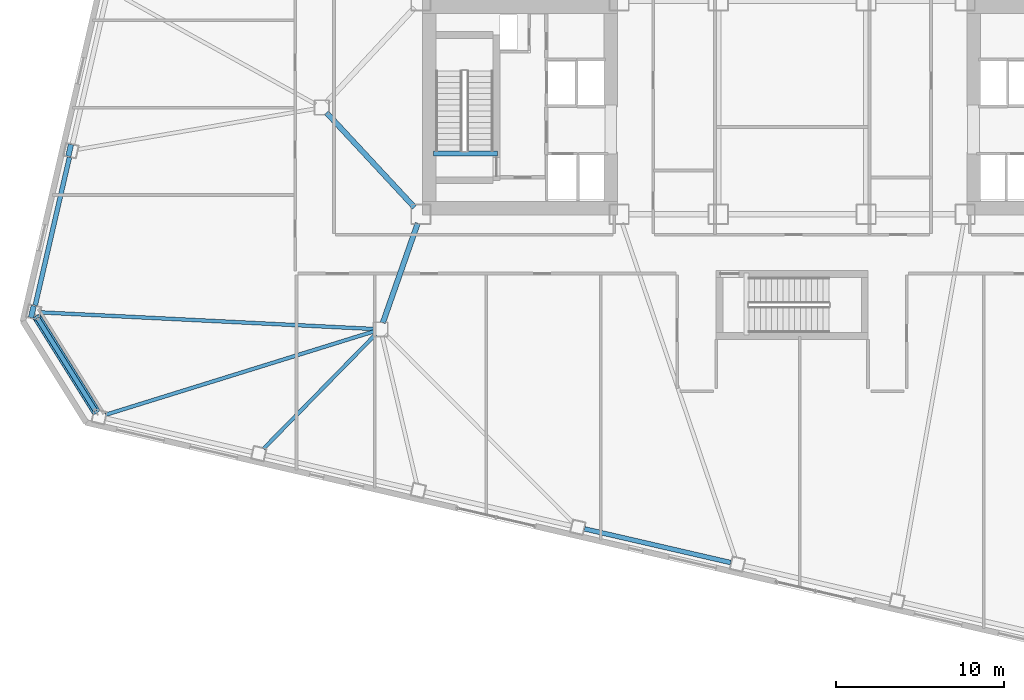
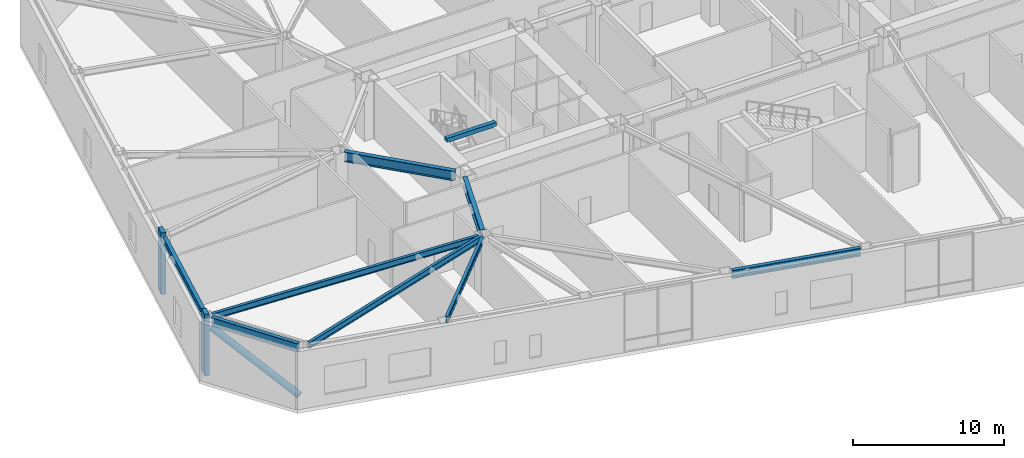
# One storey, part 3 of 20: 9 beams, 3 members.
"""IFC4 building model written with IfcOpenShell, lengths in metres."""

from ifc_helpers import new_model, si_unit, direction, frame, origin, origin_2d, place, context, subcontext, project, spatial, rectangle, hollow_circle, i_section, extrude, material, material_profile, profile_set, type_object, element, save


model = new_model("IFC4")

# Units and contexts
model_context = context("Model", 3, precision=1e-05, world=origin(), true_north=direction((0.0, 1.0)))
body_context = subcontext(model_context, "Body", "Model", "MODEL_VIEW")
ifc_project = project(units=[si_unit("LENGTHUNIT", "METRE"), si_unit("AREAUNIT", "SQUARE_METRE"), si_unit("VOLUMEUNIT", "CUBIC_METRE"), si_unit("PLANEANGLEUNIT", "RADIAN"), si_unit("MASSUNIT", "GRAM", prefix="KILO")], contexts=[model_context])

# Site, building, storey
site_placement = place(None, origin())
site = spatial("IfcSite", under=ifc_project, at=site_placement, CompositionType="ELEMENT")
building_placement = place(site_placement, origin())
building = spatial("IfcBuilding", under=site, at=building_placement, Name="Tavrogorsk Clinical Tower", CompositionType="ELEMENT")
storey_placement = place(building_placement, frame((0.0, 0.0, 18.39990234375)))
storey = spatial("IfcBuildingStorey", under=building, at=storey_placement, Name="L03", CompositionType="ELEMENT", Elevation=18.39990234375)

# Member
ifc_material_1 = material(Name="Structural steel S440", Category="steel")
ifc_material_profile_1 = material_profile(ifc_material_1, hollow_circle(Radius=0.25390625, WallThickness=0.02001953125, at=origin_2d()), Name="CHS-508x20")
ifc_profile_set_1 = profile_set([ifc_material_profile_1], Name="Structural steel S440")
member_type_1 = type_object("IfcMemberType", Name="ExoBrace_CHS508", PredefinedType="BRACE", material=ifc_profile_set_1)
member_placement = place(storey_placement, frame((-41.4443359375, -18.096923828125, 0.4833984375), z_axis=(-0.473378094772, 0.757569547634, 0.449445836434), x_axis=(-0.848050056862, -0.529916126436, 0.0)))
element("IfcMember", 1, at=member_placement, inside=storey, type_object=member_type_1, Name="L03 Corner Exoskeleton Brace W5-S1", PredefinedType="BRACE", context=body_context, shape_type="SweptSolid", body=[
    extrude(hollow_circle(Radius=0.25390625, WallThickness=0.02001953125, at=origin_2d()), origin(), (0.0, 0.0, 1.0), 7.416259765625),
])

# Beams
ifc_material_2 = material(Name="Structural steel S355", Category="steel")
ifc_material_profile_2 = material_profile(ifc_material_2, i_section(OverallWidth=0.219970703125, OverallDepth=0.5, WebThickness=0.012939453125, FlangeThickness=0.02001953125, at=origin_2d()), Name="B-500x220x13x20")
ifc_profile_set_2 = profile_set([ifc_material_profile_2], Name="Structural steel S355")
beam_type_1 = type_object("IfcBeamType", Name="FloorBeam_B500", PredefinedType="BEAM", material=ifc_profile_set_2)
beam_1_placement = place(storey_placement, frame((-24.8916015625, -13.32177734375, 4.4501953125), z_axis=(-0.954946638684, -0.296777555193, 0.0), x_axis=(0.296777555193, -0.954946638684, 0.0)))
element("IfcBeam", 2, at=beam_1_placement, inside=storey, type_object=beam_type_1, Name="L03 Radial Floor Beam S1", PredefinedType="BEAM", context=body_context, shape_type="SweptSolid", body=[
    extrude(i_section(OverallWidth=0.219970703125, OverallDepth=0.5, WebThickness=0.012939453125, FlangeThickness=0.02001953125, at=origin_2d()), origin(), (0.0, 0.0, 1.0), 16.723388671875),
])
beam_2_placement = place(storey_placement, frame((-24.787109375, -13.492919921875, 4.4501953125), z_axis=(-0.699997226081, -0.714145561828, 0.0), x_axis=(0.714145561828, -0.699997226081, 0.0)))
element("IfcBeam", 3, at=beam_2_placement, inside=storey, type_object=beam_type_1, Name="L03 Radial Floor Beam S2", PredefinedType="BEAM", context=body_context, shape_type="SweptSolid", body=[
    extrude(i_section(OverallWidth=0.219970703125, OverallDepth=0.5, WebThickness=0.012939453125, FlangeThickness=0.02001953125, at=origin_2d()), origin(), (0.0, 0.0, 1.0), 9.54248046875),
])
beam_3_placement = place(storey_placement, frame((-24.909423828125, -13.179443359375, 4.4501953125), z_axis=(-0.998757515428, 0.049833978136, 0.0), x_axis=(-0.049833978136, -0.998757515428, 0.0)))
element("IfcBeam", 4, at=beam_3_placement, inside=storey, type_object=beam_type_1, Name="L03 Radial Floor Beam W5", PredefinedType="BEAM", context=body_context, shape_type="SweptSolid", body=[
    extrude(i_section(OverallWidth=0.219970703125, OverallDepth=0.5, WebThickness=0.012939453125, FlangeThickness=0.02001953125, at=origin_2d()), origin(), (0.0, 0.0, 1.0), 19.85595703125),
])

# Members
ifc_material_3 = material(Name="Precast concrete B45 with limestone cladding", Category="masonry")
ifc_material_profile_3 = material_profile(ifc_material_3, rectangle(XDim=0.320068359375, YDim=0.719970703125, at=origin_2d()), Name="LIMESTONE-FIN-320x720")
ifc_profile_set_3 = profile_set([ifc_material_profile_3], Name="Precast concrete B45 with limestone cladding")
member_type_2 = type_object("IfcMemberType", Name="LimestonePleatFin_320x720", PredefinedType="USERDEFINED", material=ifc_profile_set_3)
for number, where, z_axis, x_axis, name in (
    (5, (-43.008056640625, -2.544189453125, 0.0), (0.0, 0.0, 1.0), (0.974370064785, -0.224951054344, 0.0), "L03 W Pleated Stone Fin 3"),
    (6, (-45.226318359375, -12.151611328125, 0.0), (0.0, 0.0, 1.0), (0.974370064785, -0.224951054344, 0.0), "L03 W Pleated Stone Fin 4"),
):
    element("IfcMember", number, at=place(storey_placement, frame(where, z_axis=z_axis, x_axis=x_axis)), inside=storey, type_object=member_type_2, Name=name, ObjectType="FIN", PredefinedType="USERDEFINED", context=body_context, shape_type="SweptSolid", body=[
        extrude(rectangle(XDim=0.320068359375, YDim=0.719970703125, at=origin_2d()), origin(), (0.0, 0.0, 1.0), 5.0),
    ])

# Beams
ifc_material_4 = material(Name="Structural steel S390", Category="steel")
ifc_material_profile_4 = material_profile(ifc_material_4, i_section(OverallWidth=0.320068359375, OverallDepth=0.800048828125, WebThickness=0.02001953125, FlangeThickness=0.033935546875, at=origin_2d()), Name="B-800x320x20x34")
ifc_profile_set_4 = profile_set([ifc_material_profile_4], Name="Structural steel S390")
beam_type_2 = type_object("IfcBeamType", Name="PrimaryGirder_B800", PredefinedType="USERDEFINED", material=ifc_profile_set_4)
beam_4_placement = place(storey_placement, frame((-24.364501953125, -12.81298828125, 4.300048828125), z_axis=(0.330668611543, 0.943746930771, 0.0), x_axis=(-0.943746930771, 0.330668611543, 0.0)))
element("IfcBeam", 7, at=beam_4_placement, inside=storey, type_object=beam_type_2, Name="L03 Spine Link Girder OPG-1", ObjectType="GIRDER", PredefinedType="USERDEFINED", context=body_context, shape_type="SweptSolid", body=[
    extrude(i_section(OverallWidth=0.320068359375, OverallDepth=0.800048828125, WebThickness=0.02001953125, FlangeThickness=0.033935546875, at=origin_2d()), origin(), (0.0, 0.0, 1.0), 6.288330078125),
])
beam_5_placement = place(storey_placement, frame((-27.720947265625, -0.30029296875, 4.300048828125), z_axis=(0.680671250221, -0.732589004233, 0.0), x_axis=(0.732589004233, 0.680671250221, 0.0)))
element("IfcBeam", 8, at=beam_5_placement, inside=storey, type_object=beam_type_2, Name="L03 Spine Link Girder OPG-5", ObjectType="GIRDER", PredefinedType="USERDEFINED", context=body_context, shape_type="SweptSolid", body=[
    extrude(i_section(OverallWidth=0.320068359375, OverallDepth=0.800048828125, WebThickness=0.02001953125, FlangeThickness=0.033935546875, at=origin_2d()), origin(), (0.0, 0.0, 1.0), 7.697998046875),
])
ifc_material_5 = material(Name="Structural steel S390", Category="steel")
ifc_material_profile_5 = material_profile(ifc_material_5, i_section(OverallWidth=0.280029296875, OverallDepth=0.64990234375, WebThickness=0.01611328125, FlangeThickness=0.02490234375, at=origin_2d()), Name="B-650x280x16x25")
ifc_profile_set_5 = profile_set([ifc_material_profile_5], Name="Structural steel S390")
beam_type_3 = type_object("IfcBeamType", Name="SpandrelBeam_B650", PredefinedType="SPANDREL", material=ifc_profile_set_5)
beam_6_placement = place(storey_placement, frame((-12.357666015625, -25.07666015625, 4.375), z_axis=(0.974372766602, -0.224939351168, 0.0), x_axis=(0.224939351168, 0.974372766602, 0.0)))
element("IfcBeam", 9, at=beam_6_placement, inside=storey, type_object=beam_type_3, Name="L03 Perimeter Spandrel S4-S5", PredefinedType="SPANDREL", context=body_context, shape_type="SweptSolid", body=[
    extrude(i_section(OverallWidth=0.280029296875, OverallDepth=0.64990234375, WebThickness=0.01611328125, FlangeThickness=0.02490234375, at=origin_2d()), origin(), (0.0, 0.0, 1.0), 8.9326171875),
])
beam_7_placement = place(storey_placement, frame((-43.02197265625, -2.959716796875, 4.375), z_axis=(-0.224971881043, -0.974365256328, 0.0), x_axis=(0.974365256328, -0.224971881043, 0.0)))
element("IfcBeam", 10, at=beam_7_placement, inside=storey, type_object=beam_type_3, Name="L03 Perimeter Spandrel W4-W5", PredefinedType="SPANDREL", context=body_context, shape_type="SweptSolid", body=[
    extrude(i_section(OverallWidth=0.280029296875, OverallDepth=0.64990234375, WebThickness=0.01611328125, FlangeThickness=0.02490234375, at=origin_2d()), origin(), (0.0, 0.0, 1.0), 9.044189453125),
])
beam_8_placement = place(storey_placement, frame((-44.93212890625, -12.515380859375, 4.375), z_axis=(0.529908311255, -0.848054940238, 0.0), x_axis=(0.848054940238, 0.529908311255, 0.0)))
element("IfcBeam", 11, at=beam_8_placement, inside=storey, type_object=beam_type_3, Name="L03 Perimeter Spandrel W5-S1", PredefinedType="SPANDREL", context=body_context, shape_type="SweptSolid", body=[
    extrude(i_section(OverallWidth=0.280029296875, OverallDepth=0.64990234375, WebThickness=0.01611328125, FlangeThickness=0.02490234375, at=origin_2d()), origin(), (0.0, 0.0, 1.0), 6.5380859375),
])
ifc_material_6 = material(Name="Concrete B60", Category="concrete")
ifc_material_profile_6 = material_profile(ifc_material_6, rectangle(XDim=0.300048828125, YDim=0.35009765625, at=origin_2d()), Name="RC-SHB-300x350")
ifc_profile_set_6 = profile_set([ifc_material_profile_6], Name="Concrete B60")
beam_type_4 = type_object("IfcBeamType", Name="StairHeaderBeam_RC300x350", PredefinedType="BEAM", material=ifc_profile_set_6)
beam_9_placement = place(storey_placement, frame((-21.35009765625, -2.719970703125, 4.8251953125), z_axis=(1.0, 0.0, 0.0), x_axis=(0.0, 1.0, 0.0)))
element("IfcBeam", 12, at=beam_9_placement, inside=storey, type_object=beam_type_4, Name="L04 ST-W Landing Header Beam", PredefinedType="BEAM", context=body_context, shape_type="SweptSolid", body=[
    extrude(rectangle(XDim=0.300048828125, YDim=0.35009765625, at=origin_2d()), origin(), (0.0, 0.0, 1.0), 3.800048828125),
])

save(model, "model.ifc")
